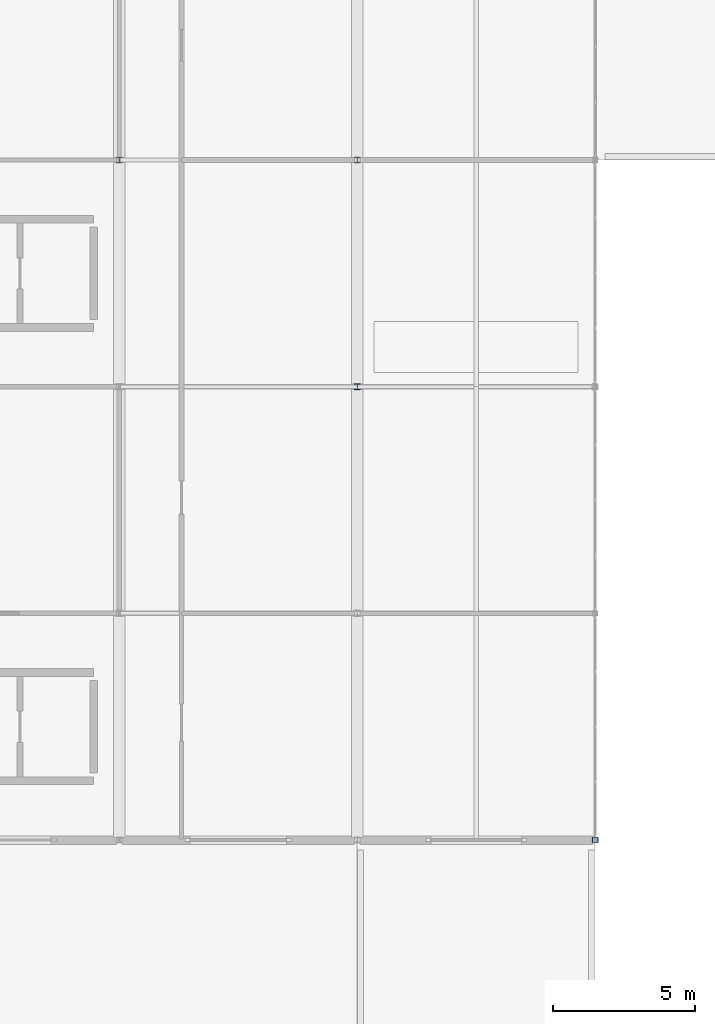
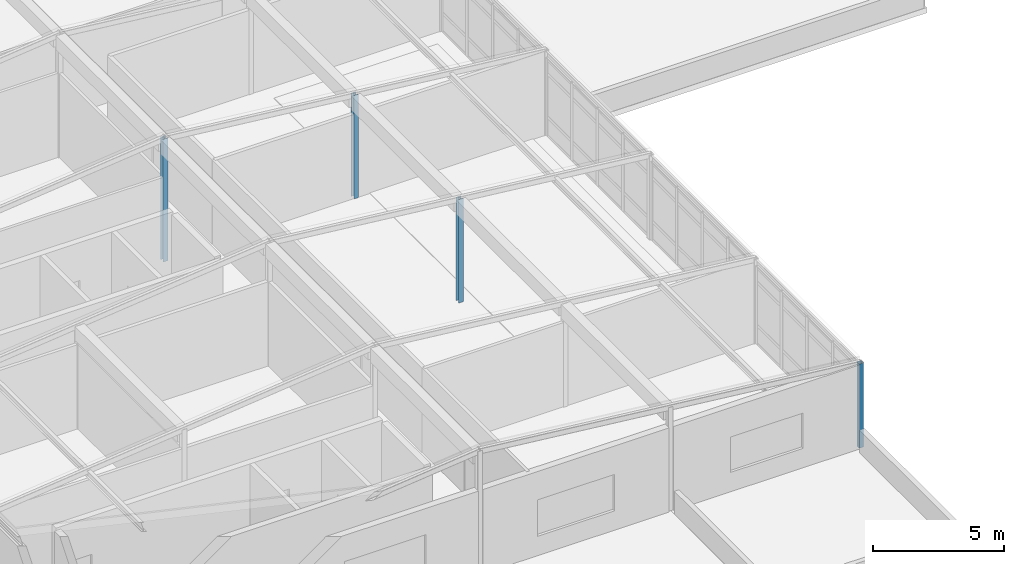
# One storey, part 4 of 25: 4 columns.
"""IFC4 building model written with IfcOpenShell, lengths in metres."""

from ifc_helpers import new_model, si_unit, direction, frame, origin, origin_2d, place, context, subcontext, project, spatial, hollow_rectangle, i_section, extrude, material, material_profile, profile_set, type_object, element, save


model = new_model("IFC4")

# Units and contexts
model_context = context("Model", 3, precision=1e-05, world=origin(), true_north=direction((0.0, 1.0)))
body_context = subcontext(model_context, "Body", "Model", "MODEL_VIEW")
ifc_project = project(units=[si_unit("LENGTHUNIT", "METRE"), si_unit("AREAUNIT", "SQUARE_METRE"), si_unit("VOLUMEUNIT", "CUBIC_METRE"), si_unit("PLANEANGLEUNIT", "RADIAN"), si_unit("MASSUNIT", "GRAM", prefix="KILO")], contexts=[model_context])

# Site, building, storey
site_placement = place(None, origin())
site = spatial("IfcSite", under=ifc_project, at=site_placement, CompositionType="ELEMENT")
building_placement = place(site_placement, origin())
building = spatial("IfcBuilding", under=site, at=building_placement, Name="Kranzveld Transit Interchange", CompositionType="ELEMENT")
storey_placement = place(building_placement, frame((0.0, 0.0, 21.0400390625)))
storey = spatial("IfcBuildingStorey", under=building, at=storey_placement, Name="L05", CompositionType="ELEMENT", Elevation=21.0400390625)

# Columns
ifc_material_1 = material(Name="Steel S355JR", Category="steel")
ifc_material_profile_1 = material_profile(ifc_material_1, i_section(OverallWidth=0.20361328125, OverallDepth=0.203125, WebThickness=0.007080078125, FlangeThickness=0.010986328125, FilletRadius=0.01025390625, at=origin_2d()), Name="UC 203x203x46")
ifc_profile_set_1 = profile_set([ifc_material_profile_1], Name="Steel S355JR")
column_type_1 = type_object("IfcColumnType", Name="Column Steel UC 203x203x46 S355JR", PredefinedType="COLUMN", material=ifc_profile_set_1)
column_1_placement = place(storey_placement, frame((16.800048828125, 88.0, 0.0), z_axis=(0.0, 0.0, 1.0), x_axis=(1.0, 0.0, 0.0)))
element("IfcColumn", 1, at=column_1_placement, inside=storey, type_object=column_type_1, Name="L05 Column 03/M", PredefinedType="COLUMN", context=body_context, shape_type="SweptSolid", body=[
    extrude(i_section(OverallWidth=0.20361328125, OverallDepth=0.203125, WebThickness=0.007080078125, FlangeThickness=0.010986328125, FilletRadius=0.01025390625, at=origin_2d()), origin(), (0.0, 0.0, 1.0), 5.719970703125),
])
for number, where, z_axis, x_axis, name in (
    (2, (25.199951171875, 80.0, 0.0), (0.0, 0.0, 1.0), (1.0, 0.0, 0.0), "L05 Column 04/L"),
    (3, (25.199951171875, 88.0, 0.0), (0.0, 0.0, 1.0), (1.0, 0.0, 0.0), "L05 Column 04/M"),
):
    element("IfcColumn", number, at=place(storey_placement, frame(where, z_axis=z_axis, x_axis=x_axis)), inside=storey, type_object=column_type_1, Name=name, PredefinedType="COLUMN", context=body_context, shape_type="SweptSolid", body=[
        extrude(i_section(OverallWidth=0.20361328125, OverallDepth=0.203125, WebThickness=0.007080078125, FlangeThickness=0.010986328125, FilletRadius=0.01025390625, at=origin_2d()), origin(), (0.0, 0.0, 1.0), 4.820068359375),
    ])
ifc_material_2 = material(Name="Steel S355JR", Category="steel")
ifc_material_profile_2 = material_profile(ifc_material_2, hollow_rectangle(XDim=0.199951171875, YDim=0.199951171875, WallThickness=0.010009765625, InnerFilletRadius=0.014892578125, OuterFilletRadius=0.02490234375, at=origin_2d()), Name="SHS 200x200x10")
ifc_profile_set_2 = profile_set([ifc_material_profile_2], Name="Steel S355JR")
column_type_2 = type_object("IfcColumnType", Name="Pavilion Post SHS 200x200x10 S355JR", PredefinedType="COLUMN", material=ifc_profile_set_2)
column_2_placement = place(storey_placement, frame((33.60009765625, 64.0, 0.0), z_axis=(0.0, 0.0, 1.0), x_axis=(1.0, 0.0, 0.0)))
element("IfcColumn", 4, at=column_2_placement, inside=storey, type_object=column_type_2, Name="L05 Column 05/J", PredefinedType="COLUMN", context=body_context, shape_type="SweptSolid", body=[
    extrude(hollow_rectangle(XDim=0.199951171875, YDim=0.199951171875, WallThickness=0.010009765625, InnerFilletRadius=0.014892578125, OuterFilletRadius=0.02490234375, at=origin_2d()), origin(), (0.0, 0.0, 1.0), 3.919921875),
])

save(model, "model.ifc")
